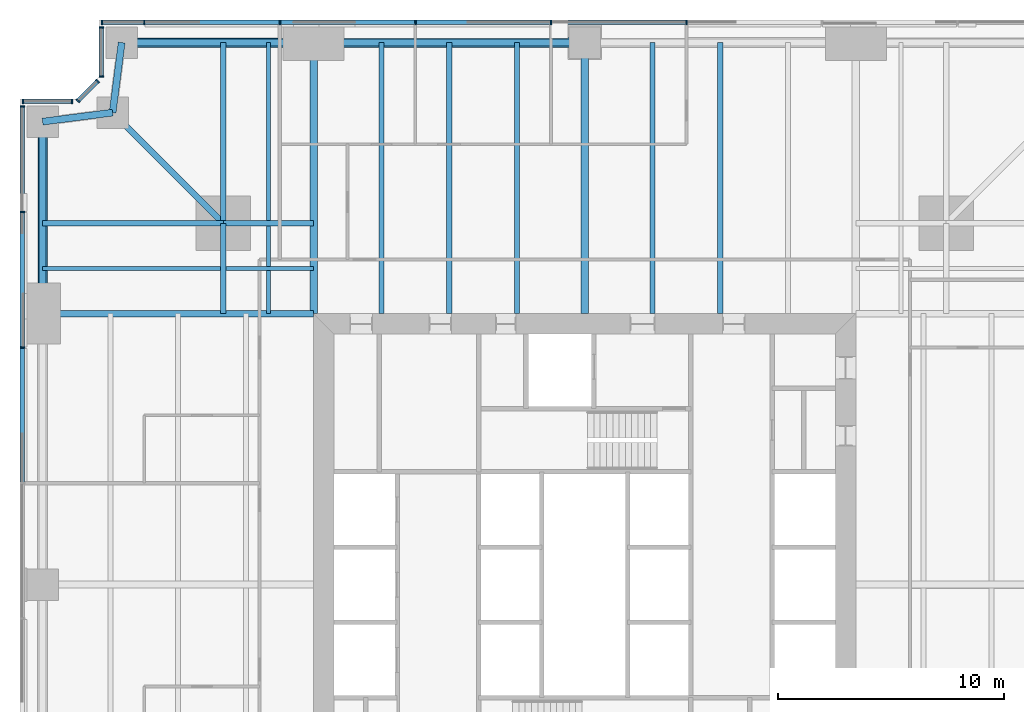
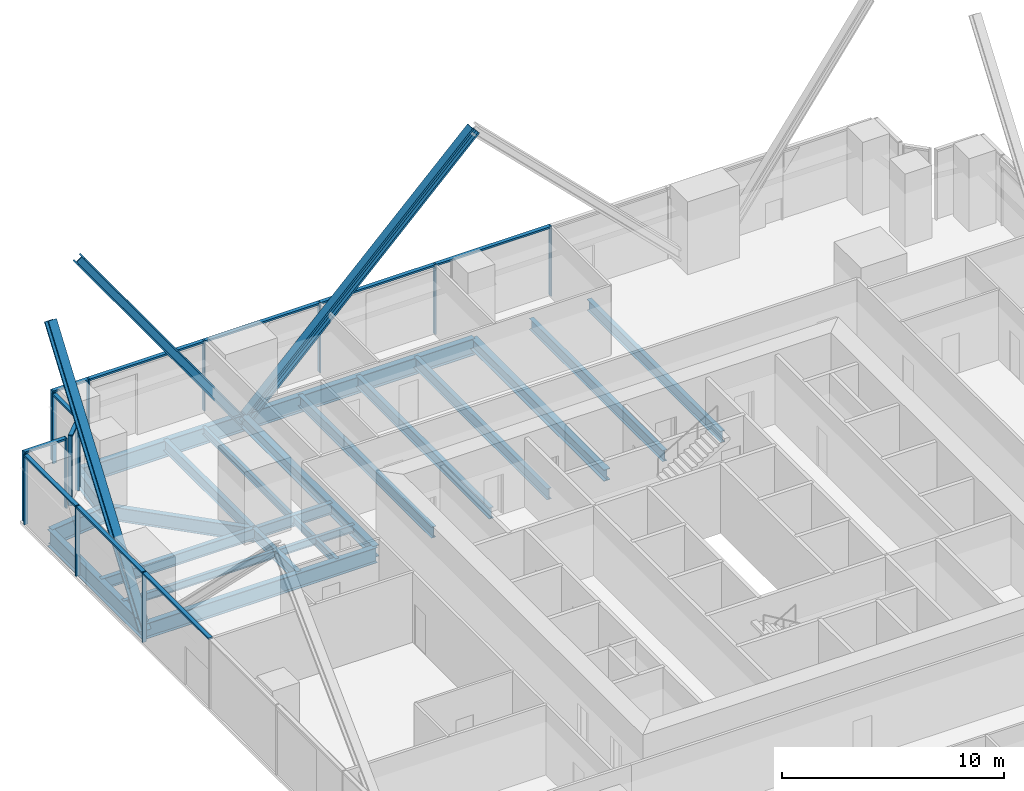
# One storey, part 6 of 14: 29 members, 23 beams, 5 elements without a shape of their own.
"""IFC4 building model written with IfcOpenShell, lengths in metres."""

from ifc_helpers import new_model, si_unit, direction, frame, origin, origin_2d, place, context, subcontext, project, spatial, rectangle, i_section, extrude, material, material_profile, profile_set, type_object, element, aggregate, save


model = new_model("IFC4")

# Units and contexts
model_context = context("Model", 3, precision=1e-05, world=origin(), true_north=direction((0.0, 1.0)))
body_context = subcontext(model_context, "Body", "Model", "MODEL_VIEW")
ifc_project = project(units=[si_unit("LENGTHUNIT", "METRE"), si_unit("AREAUNIT", "SQUARE_METRE"), si_unit("VOLUMEUNIT", "CUBIC_METRE"), si_unit("PLANEANGLEUNIT", "RADIAN"), si_unit("MASSUNIT", "GRAM", prefix="KILO")], contexts=[model_context])

# Site, building, storey
site_placement = place(None, origin())
site = spatial("IfcSite", under=ifc_project, at=site_placement, CompositionType="ELEMENT")
building_placement = place(site_placement, origin())
building = spatial("IfcBuilding", under=site, at=building_placement, Name="Fenwick Lantern Interchange", CompositionType="ELEMENT")
storey_placement = place(building_placement, frame((0.0, 0.0, 79.0)))
storey = spatial("IfcBuildingStorey", under=building, at=storey_placement, Name="L18", CompositionType="ELEMENT", Elevation=79.0)

# Beams
ifc_material_1 = material(Name="Steel ASTM A992 Grade 50", Category="steel")
ifc_material_profile_1 = material_profile(ifc_material_1, i_section(OverallWidth=0.3046875, OverallDepth=0.911865234375, WebThickness=0.015869140625, FlangeThickness=0.02392578125, at=origin_2d()), Name="W36X150")
ifc_profile_set_1 = profile_set([ifc_material_profile_1], Name="Steel ASTM A992 Grade 50")
beam_type_1 = type_object("IfcBeamType", Name="EDGE BEAM W36X150", PredefinedType="SPANDREL", material=ifc_profile_set_1)
beam_1_placement = place(storey_placement, frame((25.0, 49.0, -0.60595703125), z_axis=(-1.0, 0.0, 0.0), x_axis=(0.0, -1.0, 0.0)))
element("IfcBeam", 1, at=beam_1_placement, inside=storey, type_object=beam_type_1, Name="L18/FR/N/EB3", PredefinedType="SPANDREL", context=body_context, shape_type="SweptSolid", body=[
    extrude(i_section(OverallWidth=0.3046875, OverallDepth=0.911865234375, WebThickness=0.015869140625, FlangeThickness=0.02392578125, at=origin_2d()), origin(), (0.0, 0.0, 1.0), 12.0),
])
beam_2_placement = place(storey_placement, frame((13.0, 49.0, -0.60595703125), z_axis=(-1.0, 0.0, 0.0), x_axis=(0.0, -1.0, 0.0)))
element("IfcBeam", 2, at=beam_2_placement, inside=storey, type_object=beam_type_1, Name="L18/FR/N/EB4", PredefinedType="SPANDREL", context=body_context, shape_type="SweptSolid", body=[
    extrude(i_section(OverallWidth=0.3046875, OverallDepth=0.911865234375, WebThickness=0.015869140625, FlangeThickness=0.02392578125, at=origin_2d()), origin(), (0.0, 0.0, 1.0), 8.5),
])
for number, where, z_axis, x_axis, name in (
    (3, (4.5, 49.0, -0.60595703125), (-0.127936641807, -0.991782342897, 0.0), (0.991782342897, -0.127936641807, 0.0), "L18/FR/N/EBR1"),
    (4, (4.10009765625, 45.89990234375, -0.60595703125), (-0.991782342897, -0.127936641807, 0.0), (0.127936641807, -0.991782342897, 0.0), "L18/FR/N/EBR2"),
):
    element("IfcBeam", number, at=place(storey_placement, frame(where, z_axis=z_axis, x_axis=x_axis)), inside=storey, type_object=beam_type_1, Name=name, PredefinedType="SPANDREL", context=body_context, shape_type="SweptSolid", body=[
        extrude(i_section(OverallWidth=0.3046875, OverallDepth=0.911865234375, WebThickness=0.015869140625, FlangeThickness=0.02392578125, at=origin_2d()), origin(), (0.0, 0.0, 1.0), 3.125732421875),
    ])
beam_3_placement = place(storey_placement, frame((1.0, 45.5, -0.60595703125), z_axis=(0.0, -1.0, 0.0), x_axis=(1.0, 0.0, 0.0)))
element("IfcBeam", 5, at=beam_3_placement, inside=storey, type_object=beam_type_1, Name="L18/FR/W/EB1", PredefinedType="SPANDREL", context=body_context, shape_type="SweptSolid", body=[
    extrude(i_section(OverallWidth=0.3046875, OverallDepth=0.911865234375, WebThickness=0.015869140625, FlangeThickness=0.02392578125, at=origin_2d()), origin(), (0.0, 0.0, 1.0), 8.5),
])

# Members
ifc_material_profile_2 = material_profile(ifc_material_1, i_section(OverallWidth=0.424072265625, OverallDepth=0.47509765625, WebThickness=0.0478515625, FlangeThickness=0.0771484375, at=origin_2d()), Name="W14X426")
ifc_profile_set_2 = profile_set([ifc_material_profile_2], Name="Steel ASTM A992 Grade 50")
member_type_1 = type_object("IfcMemberType", Name="FACADE BRACE W14X426", PredefinedType="BRACE", material=ifc_profile_set_2)
for number, where, z_axis, x_axis, name in (
    (6, (13.0, 49.0, -0.60595703125), (-0.581715408588, 0.0, 0.813392392029), (0.0, -1.0, 0.0), "L18/FB/N/BE"),
    (7, (1.0, 37.0, -0.60595703125), (0.0, 0.581715408588, 0.813392392029), (-1.0, 0.0, 0.0), "L18/FB/W/AE"),
):
    element("IfcMember", number, at=place(storey_placement, frame(where, z_axis=z_axis, x_axis=x_axis)), inside=storey, type_object=member_type_1, Name=name, PredefinedType="BRACE", context=body_context, shape_type="SweptSolid", body=[
        extrude(i_section(OverallWidth=0.424072265625, OverallDepth=0.47509765625, WebThickness=0.0478515625, FlangeThickness=0.0771484375, at=origin_2d()), origin(), (0.0, 0.0, 1.0), 14.612060546875),
    ])
ifc_material_profile_3 = material_profile(ifc_material_1, i_section(OverallWidth=0.44189453125, OverallDepth=0.53076171875, WebThickness=0.06591796875, FlangeThickness=0.105712890625, at=origin_2d()), Name="W14X605")
ifc_profile_set_3 = profile_set([ifc_material_profile_3], Name="Steel ASTM A992 Grade 50")
member_type_2 = type_object("IfcMemberType", Name="FACADE BRACE W14X605", PredefinedType="BRACE", material=ifc_profile_set_3)
member_1_placement = place(storey_placement, frame((13.0, 49.0, -0.60595703125), z_axis=(0.710495562956, 0.0, 0.703701680416), x_axis=(0.0, 1.0, 0.0)))
element("IfcMember", 8, at=member_1_placement, inside=storey, type_object=member_type_2, Name="L18/FB/N/B", PredefinedType="BRACE", context=body_context, shape_type="SweptSolid", body=[
    extrude(i_section(OverallWidth=0.44189453125, OverallDepth=0.53076171875, WebThickness=0.06591796875, FlangeThickness=0.105712890625, at=origin_2d()), origin(), (0.0, 0.0, 1.0), 16.8896484375),
])

# Beams
ifc_material_profile_4 = material_profile(ifc_material_1, i_section(OverallWidth=0.22900390625, OverallDepth=0.612060546875, WebThickness=0.011962890625, FlangeThickness=0.01953125, at=origin_2d()), Name="W24X84")
ifc_profile_set_4 = profile_set([ifc_material_profile_4], Name="Steel ASTM A992 Grade 50")
beam_type_2 = type_object("IfcBeamType", Name="FLOOR BEAM W24X84", PredefinedType="BEAM", material=ifc_profile_set_4)
for number, where, z_axis, x_axis, name in (
    (9, (31.0, 49.0, -0.4560546875), (0.0, -1.0, 0.0), (1.0, 0.0, 0.0), "L18/FR/N/R03"),
    (10, (28.0, 49.0, -0.4560546875), (0.0, -1.0, 0.0), (1.0, 0.0, 0.0), "L18/FR/N/R04"),
    (11, (22.0, 49.0, -0.4560546875), (0.0, -1.0, 0.0), (1.0, 0.0, 0.0), "L18/FR/N/R06"),
    (12, (19.0, 49.0, -0.4560546875), (0.0, -1.0, 0.0), (1.0, 0.0, 0.0), "L18/FR/N/R07"),
    (13, (16.0, 49.0, -0.4560546875), (0.0, -1.0, 0.0), (1.0, 0.0, 0.0), "L18/FR/N/R08"),
):
    element("IfcBeam", number, at=place(storey_placement, frame(where, z_axis=z_axis, x_axis=x_axis)), inside=storey, type_object=beam_type_2, Name=name, PredefinedType="BEAM", context=body_context, shape_type="SweptSolid", body=[
        extrude(i_section(OverallWidth=0.22900390625, OverallDepth=0.612060546875, WebThickness=0.011962890625, FlangeThickness=0.01953125, at=origin_2d()), origin(), (0.0, 0.0, 1.0), 12.0),
    ])
ifc_material_profile_5 = material_profile(ifc_material_1, i_section(OverallWidth=0.177734375, OverallDepth=0.406494140625, WebThickness=0.0078125, FlangeThickness=0.012939453125, at=origin_2d()), Name="W16X40")
ifc_profile_set_5 = profile_set([ifc_material_profile_5], Name="Steel ASTM A992 Grade 50")
beam_type_3 = type_object("IfcBeamType", Name="INFILL BEAM W16X40", PredefinedType="JOIST", material=ifc_profile_set_5)
beam_4_placement = place(storey_placement, frame((1.0, 39.0, -0.353271484375), z_axis=(1.0, 0.0, 0.0), x_axis=(0.0, 1.0, 0.0)))
element("IfcBeam", 14, at=beam_4_placement, inside=storey, type_object=beam_type_3, Name="L18/FR/W/J1", PredefinedType="JOIST", context=body_context, shape_type="SweptSolid", body=[
    extrude(i_section(OverallWidth=0.177734375, OverallDepth=0.406494140625, WebThickness=0.0078125, FlangeThickness=0.012939453125, at=origin_2d()), origin(), (0.0, 0.0, 1.0), 7.885498046875),
])
beam_5_placement = place(storey_placement, frame((9.114501953125, 39.0, -0.353271484375), z_axis=(1.0, 0.0, 0.0), x_axis=(0.0, 1.0, 0.0)))
element("IfcBeam", 15, at=beam_5_placement, inside=storey, type_object=beam_type_3, Name="L18/FR/W/J2", PredefinedType="JOIST", context=body_context, shape_type="SweptSolid", body=[
    extrude(i_section(OverallWidth=0.177734375, OverallDepth=0.406494140625, WebThickness=0.0078125, FlangeThickness=0.012939453125, at=origin_2d()), origin(), (0.0, 0.0, 1.0), 3.885498046875),
])
beam_6_placement = place(storey_placement, frame((11.0, 49.0, -0.353271484375), z_axis=(0.0, -1.0, 0.0), x_axis=(1.0, 0.0, 0.0)))
element("IfcBeam", 16, at=beam_6_placement, inside=storey, type_object=beam_type_3, Name="L18/FR/W/J3", PredefinedType="JOIST", context=body_context, shape_type="SweptSolid", body=[
    extrude(i_section(OverallWidth=0.177734375, OverallDepth=0.406494140625, WebThickness=0.0078125, FlangeThickness=0.012939453125, at=origin_2d()), origin(), (0.0, 0.0, 1.0), 7.885498046875),
])
beam_7_placement = place(storey_placement, frame((11.0, 40.885498046875, -0.353271484375), z_axis=(0.0, -1.0, 0.0), x_axis=(1.0, 0.0, 0.0)))
element("IfcBeam", 17, at=beam_7_placement, inside=storey, type_object=beam_type_3, Name="L18/FR/W/J4", PredefinedType="JOIST", context=body_context, shape_type="SweptSolid", body=[
    extrude(i_section(OverallWidth=0.177734375, OverallDepth=0.406494140625, WebThickness=0.0078125, FlangeThickness=0.012939453125, at=origin_2d()), origin(), (0.0, 0.0, 1.0), 1.796630859375),
])
beam_8_placement = place(storey_placement, frame((11.0, 38.9111328125, -0.353271484375), z_axis=(0.0, -1.0, 0.0), x_axis=(1.0, 0.0, 0.0)))
element("IfcBeam", 18, at=beam_8_placement, inside=storey, type_object=beam_type_3, Name="L18/FR/W/J5", PredefinedType="JOIST", context=body_context, shape_type="SweptSolid", body=[
    extrude(i_section(OverallWidth=0.177734375, OverallDepth=0.406494140625, WebThickness=0.0078125, FlangeThickness=0.012939453125, at=origin_2d()), origin(), (0.0, 0.0, 1.0), 1.9111328125),
])
ifc_material_profile_6 = material_profile(ifc_material_1, i_section(OverallWidth=0.22900390625, OverallDepth=0.612060546875, WebThickness=0.011962890625, FlangeThickness=0.01953125, at=origin_2d()), Name="W24X84")
ifc_profile_set_6 = profile_set([ifc_material_profile_6], Name="Steel ASTM A992 Grade 50")
beam_type_4 = type_object("IfcBeamType", Name="MEGA COLUMN BEAM W24X84", PredefinedType="BEAM", material=ifc_profile_set_6)
for number, where, z_axis, x_axis, name in (
    (19, (9.0, 41.0, -0.4560546875), (-1.0, 0.0, 0.0), (0.0, -1.0, 0.0), "L18/FR/W/MB1"),
    (20, (9.0, 41.0, -0.4560546875), (0.0, 1.0, 0.0), (-1.0, 0.0, 0.0), "L18/FR/W/MB2"),
):
    element("IfcBeam", number, at=place(storey_placement, frame(where, z_axis=z_axis, x_axis=x_axis)), inside=storey, type_object=beam_type_4, Name=name, PredefinedType="BEAM", context=body_context, shape_type="SweptSolid", body=[
        extrude(i_section(OverallWidth=0.22900390625, OverallDepth=0.612060546875, WebThickness=0.011962890625, FlangeThickness=0.01953125, at=origin_2d()), origin(), (0.0, 0.0, 1.0), 8.0),
    ])
for number, where, z_axis, x_axis, name in (
    (21, (9.0, 41.0, -0.4560546875), (0.0, -1.0, 0.0), (1.0, 0.0, 0.0), "L18/FR/W/MB3"),
    (22, (9.0, 41.0, -0.4560546875), (1.0, 0.0, 0.0), (0.0, 1.0, 0.0), "L18/FR/W/MB4"),
):
    element("IfcBeam", number, at=place(storey_placement, frame(where, z_axis=z_axis, x_axis=x_axis)), inside=storey, type_object=beam_type_4, Name=name, PredefinedType="BEAM", context=body_context, shape_type="SweptSolid", body=[
        extrude(i_section(OverallWidth=0.22900390625, OverallDepth=0.612060546875, WebThickness=0.011962890625, FlangeThickness=0.01953125, at=origin_2d()), origin(), (0.0, 0.0, 1.0), 4.0),
    ])
ifc_material_profile_7 = material_profile(ifc_material_1, i_section(OverallWidth=0.32763671875, OverallDepth=0.622314453125, WebThickness=0.015380859375, FlangeThickness=0.0244140625, at=origin_2d()), Name="W24X131")
ifc_profile_set_7 = profile_set([ifc_material_profile_7], Name="Steel ASTM A992 Grade 50")
beam_type_5 = type_object("IfcBeamType", Name="MOMENT-CONNECTED GIRDER W24X131", PredefinedType="BEAM", material=ifc_profile_set_7)
for number, where, z_axis, x_axis, name in (
    (23, (25.0, 49.0, -0.461181640625), (0.0, -1.0, 0.0), (1.0, 0.0, 0.0), "L18/FR/N/R05"),
    (24, (13.0, 49.0, -0.461181640625), (0.0, -1.0, 0.0), (1.0, 0.0, 0.0), "L18/FR/N/R09"),
):
    element("IfcBeam", number, at=place(storey_placement, frame(where, z_axis=z_axis, x_axis=x_axis)), inside=storey, type_object=beam_type_5, Name=name, PredefinedType="BEAM", context=body_context, shape_type="SweptSolid", body=[
        extrude(i_section(OverallWidth=0.32763671875, OverallDepth=0.622314453125, WebThickness=0.015380859375, FlangeThickness=0.0244140625, at=origin_2d()), origin(), (0.0, 0.0, 1.0), 12.0),
    ])
ifc_material_profile_8 = material_profile(ifc_material_1, i_section(OverallWidth=0.2919921875, OverallDepth=0.845703125, WebThickness=0.015380859375, FlangeThickness=0.0244140625, at=origin_2d()), Name="W33X141")
ifc_profile_set_8 = profile_set([ifc_material_profile_8], Name="Steel ASTM A992 Grade 50")
beam_type_6 = type_object("IfcBeamType", Name="MOMENT-CONNECTED GIRDER W33X141", PredefinedType="BEAM", material=ifc_profile_set_8)
beam_9_placement = place(storey_placement, frame((1.0, 37.0, -0.572998046875), z_axis=(1.0, 0.0, 0.0), x_axis=(0.0, 1.0, 0.0)))
element("IfcBeam", 25, at=beam_9_placement, inside=storey, type_object=beam_type_6, Name="L18/FR/W/R01", PredefinedType="BEAM", context=body_context, shape_type="SweptSolid", body=[
    extrude(i_section(OverallWidth=0.2919921875, OverallDepth=0.845703125, WebThickness=0.015380859375, FlangeThickness=0.0244140625, at=origin_2d()), origin(), (0.0, 0.0, 1.0), 12.0),
])
ifc_material_profile_9 = material_profile(ifc_material_1, i_section(OverallWidth=0.2666015625, OverallDepth=0.7568359375, WebThickness=0.013916015625, FlangeThickness=0.019287109375, at=origin_2d()), Name="W30X108")
ifc_profile_set_9 = profile_set([ifc_material_profile_9], Name="Steel ASTM A992 Grade 50")
beam_type_7 = type_object("IfcBeamType", Name="NOTCH BEAM W30X108", PredefinedType="BEAM", material=ifc_profile_set_9)
beam_10_placement = place(storey_placement, frame((9.0, 41.0, -0.528564453125), z_axis=(-0.707106781187, 0.707106781187, 0.0), x_axis=(-0.707106781187, -0.707106781187, 0.0)))
element("IfcBeam", 26, at=beam_10_placement, inside=storey, type_object=beam_type_7, Name="L18/FR/W/TG", PredefinedType="BEAM", context=body_context, shape_type="SweptSolid", body=[
    extrude(i_section(OverallWidth=0.2666015625, OverallDepth=0.7568359375, WebThickness=0.013916015625, FlangeThickness=0.019287109375, at=origin_2d()), origin(), (0.0, 0.0, 1.0), 6.929443359375),
])

# Curtain wall, members
ifc_material_2 = material(Name="Aluminium curtain wall frame", Category="aluminium")
curtain_wall_type = type_object("IfcCurtainWallType", Name="OFFICE CURTAIN WALL", PredefinedType="USERDEFINED", material=ifc_material_2)
curtain_wall_1_placement = place(storey_placement, origin())
curtain_wall_1 = element("IfcCurtainWall", 27, at=curtain_wall_1_placement, inside=storey, type_object=curtain_wall_type, Name="Office curtain wall 09", ObjectType="OFFICE CURTAIN WALL", PredefinedType="USERDEFINED")
ifc_material_3 = material(Name="Aluminium extrusion", Category="aluminium")
ifc_material_profile_10 = material_profile(ifc_material_3, rectangle(XDim=0.199951171875, YDim=0.06494140625, at=origin_2d()), Name="OFFICE CURTAIN WALL MULLION 65 X 200")
ifc_profile_set_10 = profile_set([ifc_material_profile_10], Name="Aluminium extrusion")
member_type_3 = type_object("IfcMemberType", Name="OFFICE CURTAIN WALL MULLION 65 X 200", PredefinedType="MULLION", material=ifc_profile_set_10)
member_2_placement = place(storey_placement, frame((29.5, 49.89990234375, 0.0), z_axis=(0.0, 0.0, 1.0), x_axis=(0.0, -1.0, 0.0)))
member_2 = element("IfcMember", 28, at=member_2_placement, type_object=member_type_3, Name="L18/CW/09/M03", PredefinedType="MULLION", context=body_context, shape_type="SweptSolid", body=[
    extrude(rectangle(XDim=0.199951171875, YDim=0.06494140625, at=origin_2d()), origin(), (0.0, 0.0, 1.0), 3.85009765625),
])
member_3_placement = place(storey_placement, frame((23.5, 49.89990234375, 0.0), z_axis=(0.0, 0.0, 1.0), x_axis=(0.0, -1.0, 0.0)))
member_3 = element("IfcMember", 29, at=member_3_placement, type_object=member_type_3, Name="L18/CW/09/M04", PredefinedType="MULLION", context=body_context, shape_type="SweptSolid", body=[
    extrude(rectangle(XDim=0.199951171875, YDim=0.06494140625, at=origin_2d()), origin(), (0.0, 0.0, 1.0), 3.85009765625),
])
member_4_placement = place(storey_placement, frame((17.5, 49.89990234375, 0.0), z_axis=(0.0, 0.0, 1.0), x_axis=(0.0, -1.0, 0.0)))
member_4 = element("IfcMember", 30, at=member_4_placement, type_object=member_type_3, Name="L18/CW/09/M05", PredefinedType="MULLION", context=body_context, shape_type="SweptSolid", body=[
    extrude(rectangle(XDim=0.199951171875, YDim=0.06494140625, at=origin_2d()), origin(), (0.0, 0.0, 1.0), 3.85009765625),
])
member_5_placement = place(storey_placement, frame((11.5, 49.89990234375, 0.0), z_axis=(0.0, 0.0, 1.0), x_axis=(0.0, -1.0, 0.0)))
member_5 = element("IfcMember", 31, at=member_5_placement, type_object=member_type_3, Name="L18/CW/09/M06", PredefinedType="MULLION", context=body_context, shape_type="SweptSolid", body=[
    extrude(rectangle(XDim=0.199951171875, YDim=0.06494140625, at=origin_2d()), origin(), (0.0, 0.0, 1.0), 3.85009765625),
])
member_6_placement = place(storey_placement, frame((5.5, 49.89990234375, 0.0), z_axis=(0.0, 0.0, 1.0), x_axis=(0.0, -1.0, 0.0)))
member_6 = element("IfcMember", 32, at=member_6_placement, type_object=member_type_3, Name="L18/CW/09/M07", PredefinedType="MULLION", context=body_context, shape_type="SweptSolid", body=[
    extrude(rectangle(XDim=0.199951171875, YDim=0.06494140625, at=origin_2d()), origin(), (0.0, 0.0, 1.0), 3.85009765625),
])
member_7_placement = place(storey_placement, frame((3.632568359375, 49.89990234375, 0.0), z_axis=(0.0, 0.0, 1.0), x_axis=(0.0, -1.0, 0.0)))
member_7 = element("IfcMember", 33, at=member_7_placement, type_object=member_type_3, Name="L18/CW/09/M08", PredefinedType="MULLION", context=body_context, shape_type="SweptSolid", body=[
    extrude(rectangle(XDim=0.199951171875, YDim=0.06494140625, at=origin_2d()), origin(), (0.0, 0.0, 1.0), 3.85009765625),
])

curtain_wall_2_placement = place(storey_placement, origin())
curtain_wall_2 = element("IfcCurtainWall", 34, at=curtain_wall_2_placement, inside=storey, type_object=curtain_wall_type, Name="Office curtain wall 10", ObjectType="OFFICE CURTAIN WALL", PredefinedType="USERDEFINED")
member_8_placement = place(storey_placement, frame((3.60009765625, 49.66748046875, 0.0), z_axis=(0.0, 0.0, 1.0), x_axis=(1.0, 0.0, 0.0)))
member_8 = element("IfcMember", 35, at=member_8_placement, type_object=member_type_3, Name="L18/CW/10/M00", PredefinedType="MULLION", context=body_context, shape_type="SweptSolid", body=[
    extrude(rectangle(XDim=0.199951171875, YDim=0.06494140625, at=origin_2d()), origin(), (0.0, 0.0, 1.0), 3.85009765625),
])
member_9_placement = place(storey_placement, frame((3.60009765625, 47.490966796875, 0.0), z_axis=(0.0, 0.0, 1.0), x_axis=(1.0, 0.0, 0.0)))
member_9 = element("IfcMember", 36, at=member_9_placement, type_object=member_type_3, Name="L18/CW/10/M01", PredefinedType="MULLION", context=body_context, shape_type="SweptSolid", body=[
    extrude(rectangle(XDim=0.199951171875, YDim=0.06494140625, at=origin_2d()), origin(), (0.0, 0.0, 1.0), 3.85009765625),
])

curtain_wall_3_placement = place(storey_placement, origin())
curtain_wall_3 = element("IfcCurtainWall", 37, at=curtain_wall_3_placement, inside=storey, type_object=curtain_wall_type, Name="Office curtain wall 11", ObjectType="OFFICE CURTAIN WALL", PredefinedType="USERDEFINED")
member_10_placement = place(storey_placement, frame((3.435546875, 47.294189453125, 0.0), z_axis=(0.0, 0.0, 1.0), x_axis=(0.707106781187, -0.707106781187, 0.0)))
member_10 = element("IfcMember", 38, at=member_10_placement, type_object=member_type_3, Name="L18/CW/11/M00", PredefinedType="MULLION", context=body_context, shape_type="SweptSolid", body=[
    extrude(rectangle(XDim=0.199951171875, YDim=0.06494140625, at=origin_2d()), origin(), (0.0, 0.0, 1.0), 3.85009765625),
])
member_11_placement = place(storey_placement, frame((2.564453125, 46.423095703125, 0.0), z_axis=(0.0, 0.0, 1.0), x_axis=(0.707106781187, -0.707106781187, 0.0)))
member_11 = element("IfcMember", 39, at=member_11_placement, type_object=member_type_3, Name="L18/CW/11/M01", PredefinedType="MULLION", context=body_context, shape_type="SweptSolid", body=[
    extrude(rectangle(XDim=0.199951171875, YDim=0.06494140625, at=origin_2d()), origin(), (0.0, 0.0, 1.0), 3.85009765625),
])

curtain_wall_4_placement = place(storey_placement, origin())
curtain_wall_4 = element("IfcCurtainWall", 40, at=curtain_wall_4_placement, inside=storey, type_object=curtain_wall_type, Name="Office curtain wall 12", ObjectType="OFFICE CURTAIN WALL", PredefinedType="USERDEFINED")
member_12_placement = place(storey_placement, frame((2.308837890625, 46.39990234375, 0.0), z_axis=(0.0, 0.0, 1.0), x_axis=(0.0, -1.0, 0.0)))
member_12 = element("IfcMember", 41, at=member_12_placement, type_object=member_type_3, Name="L18/CW/12/M00", PredefinedType="MULLION", context=body_context, shape_type="SweptSolid", body=[
    extrude(rectangle(XDim=0.199951171875, YDim=0.06494140625, at=origin_2d()), origin(), (0.0, 0.0, 1.0), 3.85009765625),
])
member_13_placement = place(storey_placement, frame((0.132568359375, 46.39990234375, 0.0), z_axis=(0.0, 0.0, 1.0), x_axis=(0.0, -1.0, 0.0)))
member_13 = element("IfcMember", 42, at=member_13_placement, type_object=member_type_3, Name="L18/CW/12/M01", PredefinedType="MULLION", context=body_context, shape_type="SweptSolid", body=[
    extrude(rectangle(XDim=0.199951171875, YDim=0.06494140625, at=origin_2d()), origin(), (0.0, 0.0, 1.0), 3.85009765625),
])

curtain_wall_5_placement = place(storey_placement, origin())
curtain_wall_5 = element("IfcCurtainWall", 43, at=curtain_wall_5_placement, inside=storey, type_object=curtain_wall_type, Name="Office curtain wall 13", ObjectType="OFFICE CURTAIN WALL", PredefinedType="USERDEFINED")
member_14_placement = place(storey_placement, frame((0.10009765625, 46.16748046875, 0.0), z_axis=(0.0, 0.0, 1.0), x_axis=(1.0, 0.0, 0.0)))
member_14 = element("IfcMember", 44, at=member_14_placement, type_object=member_type_3, Name="L18/CW/13/M00", PredefinedType="MULLION", context=body_context, shape_type="SweptSolid", body=[
    extrude(rectangle(XDim=0.199951171875, YDim=0.06494140625, at=origin_2d()), origin(), (0.0, 0.0, 1.0), 3.85009765625),
])
member_15_placement = place(storey_placement, frame((0.10009765625, 41.5, 0.0), z_axis=(0.0, 0.0, 1.0), x_axis=(1.0, 0.0, 0.0)))
member_15 = element("IfcMember", 45, at=member_15_placement, type_object=member_type_3, Name="L18/CW/13/M01", PredefinedType="MULLION", context=body_context, shape_type="SweptSolid", body=[
    extrude(rectangle(XDim=0.199951171875, YDim=0.06494140625, at=origin_2d()), origin(), (0.0, 0.0, 1.0), 3.85009765625),
])
member_16_placement = place(storey_placement, frame((0.10009765625, 35.5, 0.0), z_axis=(0.0, 0.0, 1.0), x_axis=(1.0, 0.0, 0.0)))
member_16 = element("IfcMember", 46, at=member_16_placement, type_object=member_type_3, Name="L18/CW/13/M02", PredefinedType="MULLION", context=body_context, shape_type="SweptSolid", body=[
    extrude(rectangle(XDim=0.199951171875, YDim=0.06494140625, at=origin_2d()), origin(), (0.0, 0.0, 1.0), 3.85009765625),
])

# Member
ifc_material_profile_11 = material_profile(ifc_material_3, rectangle(XDim=0.199951171875, YDim=0.10009765625, at=origin_2d()), Name="OFFICE CURTAIN WALL TRANSOM 100 X 200")
ifc_profile_set_11 = profile_set([ifc_material_profile_11], Name="Aluminium extrusion")
member_type_4 = type_object("IfcMemberType", Name="OFFICE CURTAIN WALL TRANSOM 100 X 200", PredefinedType="MULLION", material=ifc_profile_set_11)
member_17_placement = place(storey_placement, frame((29.467529296875, 49.89990234375, 3.800048828125), z_axis=(-1.0, 0.0, 0.0), x_axis=(0.0, -1.0, 0.0)))
member_17 = element("IfcMember", 47, at=member_17_placement, type_object=member_type_4, Name="L18/CW/09/T03", PredefinedType="MULLION", context=body_context, shape_type="SweptSolid", body=[
    extrude(rectangle(XDim=0.199951171875, YDim=0.10009765625, at=origin_2d()), origin(), (0.0, 0.0, 1.0), 5.93505859375),
])

member_18_placement = place(storey_placement, frame((23.467529296875, 49.89990234375, 3.800048828125), z_axis=(-1.0, 0.0, 0.0), x_axis=(0.0, -1.0, 0.0)))
member_18 = element("IfcMember", 48, at=member_18_placement, type_object=member_type_4, Name="L18/CW/09/T04", PredefinedType="MULLION", context=body_context, shape_type="SweptSolid", body=[
    extrude(rectangle(XDim=0.199951171875, YDim=0.10009765625, at=origin_2d()), origin(), (0.0, 0.0, 1.0), 5.93505859375),
])

member_19_placement = place(storey_placement, frame((17.467529296875, 49.89990234375, 3.800048828125), z_axis=(-1.0, 0.0, 0.0), x_axis=(0.0, -1.0, 0.0)))
member_19 = element("IfcMember", 49, at=member_19_placement, type_object=member_type_4, Name="L18/CW/09/T05", PredefinedType="MULLION", context=body_context, shape_type="SweptSolid", body=[
    extrude(rectangle(XDim=0.199951171875, YDim=0.10009765625, at=origin_2d()), origin(), (0.0, 0.0, 1.0), 5.93505859375),
])

member_20_placement = place(storey_placement, frame((11.467529296875, 49.89990234375, 3.800048828125), z_axis=(-1.0, 0.0, 0.0), x_axis=(0.0, -1.0, 0.0)))
member_20 = element("IfcMember", 50, at=member_20_placement, type_object=member_type_4, Name="L18/CW/09/T06", PredefinedType="MULLION", context=body_context, shape_type="SweptSolid", body=[
    extrude(rectangle(XDim=0.199951171875, YDim=0.10009765625, at=origin_2d()), origin(), (0.0, 0.0, 1.0), 5.93505859375),
])

member_21_placement = place(storey_placement, frame((5.467529296875, 49.89990234375, 3.800048828125), z_axis=(-1.0, 0.0, 0.0), x_axis=(0.0, -1.0, 0.0)))
member_21 = element("IfcMember", 51, at=member_21_placement, type_object=member_type_4, Name="L18/CW/09/T07", PredefinedType="MULLION", context=body_context, shape_type="SweptSolid", body=[
    extrude(rectangle(XDim=0.199951171875, YDim=0.10009765625, at=origin_2d()), origin(), (0.0, 0.0, 1.0), 1.802490234375),
])

aggregate(curtain_wall_1, [member_2, member_3, member_4, member_5, member_6, member_7, member_17, member_18, member_19, member_20, member_21])

member_22_placement = place(storey_placement, frame((3.60009765625, 49.635009765625, 3.800048828125), z_axis=(0.0, -1.0, 0.0), x_axis=(1.0, 0.0, 0.0)))
member_22 = element("IfcMember", 52, at=member_22_placement, type_object=member_type_4, Name="L18/CW/10/T00", PredefinedType="MULLION", context=body_context, shape_type="SweptSolid", body=[
    extrude(rectangle(XDim=0.199951171875, YDim=0.10009765625, at=origin_2d()), origin(), (0.0, 0.0, 1.0), 2.111328125),
])

aggregate(curtain_wall_2, [member_8, member_9, member_22])

member_23_placement = place(storey_placement, frame((3.41259765625, 47.271240234375, 3.800048828125), z_axis=(-0.707106781187, -0.707106781187, 0.0), x_axis=(0.707106781187, -0.707106781187, 0.0)))
member_23 = element("IfcMember", 53, at=member_23_placement, type_object=member_type_4, Name="L18/CW/11/T00", PredefinedType="MULLION", context=body_context, shape_type="SweptSolid", body=[
    extrude(rectangle(XDim=0.199951171875, YDim=0.10009765625, at=origin_2d()), origin(), (0.0, 0.0, 1.0), 1.1669921875),
])

aggregate(curtain_wall_3, [member_10, member_11, member_23])

member_24_placement = place(storey_placement, frame((2.2763671875, 46.39990234375, 3.800048828125), z_axis=(-1.0, 0.0, 0.0), x_axis=(0.0, -1.0, 0.0)))
member_24 = element("IfcMember", 54, at=member_24_placement, type_object=member_type_4, Name="L18/CW/12/T00", PredefinedType="MULLION", context=body_context, shape_type="SweptSolid", body=[
    extrude(rectangle(XDim=0.199951171875, YDim=0.10009765625, at=origin_2d()), origin(), (0.0, 0.0, 1.0), 2.111328125),
])

aggregate(curtain_wall_4, [member_12, member_13, member_24])

member_25_placement = place(storey_placement, frame((0.10009765625, 46.135009765625, 3.800048828125), z_axis=(0.0, -1.0, 0.0), x_axis=(1.0, 0.0, 0.0)))
member_25 = element("IfcMember", 55, at=member_25_placement, type_object=member_type_4, Name="L18/CW/13/T00", PredefinedType="MULLION", context=body_context, shape_type="SweptSolid", body=[
    extrude(rectangle(XDim=0.199951171875, YDim=0.10009765625, at=origin_2d()), origin(), (0.0, 0.0, 1.0), 4.6025390625),
])

member_26_placement = place(storey_placement, frame((0.10009765625, 41.467529296875, 3.800048828125), z_axis=(0.0, -1.0, 0.0), x_axis=(1.0, 0.0, 0.0)))
member_26 = element("IfcMember", 56, at=member_26_placement, type_object=member_type_4, Name="L18/CW/13/T01", PredefinedType="MULLION", context=body_context, shape_type="SweptSolid", body=[
    extrude(rectangle(XDim=0.199951171875, YDim=0.10009765625, at=origin_2d()), origin(), (0.0, 0.0, 1.0), 5.93505859375),
])

member_27_placement = place(storey_placement, frame((0.10009765625, 35.467529296875, 3.800048828125), z_axis=(0.0, -1.0, 0.0), x_axis=(1.0, 0.0, 0.0)))
member_27 = element("IfcMember", 57, at=member_27_placement, type_object=member_type_4, Name="L18/CW/13/T02", PredefinedType="MULLION", context=body_context, shape_type="SweptSolid", body=[
    extrude(rectangle(XDim=0.199951171875, YDim=0.10009765625, at=origin_2d()), origin(), (0.0, 0.0, 1.0), 5.93505859375),
])

aggregate(curtain_wall_5, [member_14, member_15, member_16, member_25, member_26, member_27])

save(model, "model.ifc")
